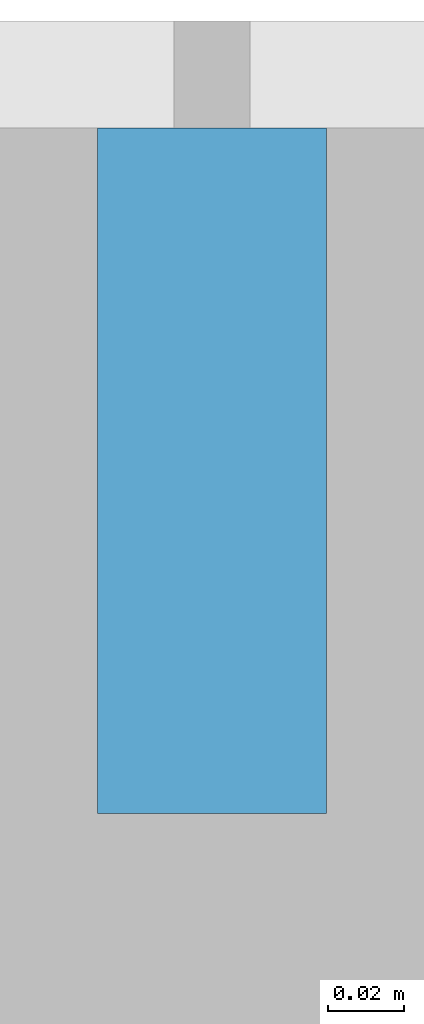
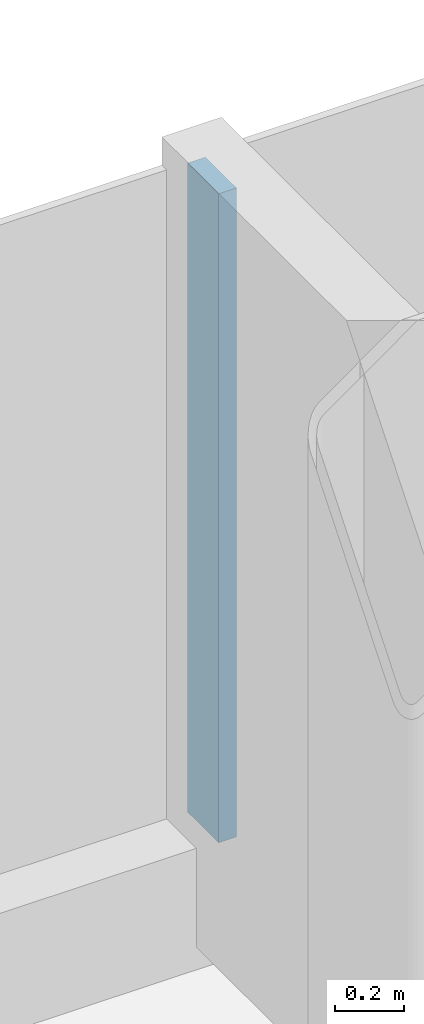
# One storey, part 7 of 25: 1 member, 1 element without a shape of its own.
"""IFC4 building model written with IfcOpenShell, lengths in metres."""

from ifc_helpers import new_model, si_unit, direction, frame, origin, origin_2d, place, context, subcontext, project, spatial, rectangle, extrude, material, layer, layer_set, material_profile, profile_set, type_object, element, aggregate, save


model = new_model("IFC4")

# Units and contexts
model_context = context("Model", 3, precision=1e-05, world=origin(), true_north=direction((0.0, 1.0)))
body_context = subcontext(model_context, "Body", "Model", "MODEL_VIEW")
ifc_project = project(units=[si_unit("LENGTHUNIT", "METRE"), si_unit("AREAUNIT", "SQUARE_METRE"), si_unit("VOLUMEUNIT", "CUBIC_METRE"), si_unit("PLANEANGLEUNIT", "RADIAN"), si_unit("MASSUNIT", "GRAM", prefix="KILO")], contexts=[model_context])

# Site, building, storey
site_placement = place(None, origin())
site = spatial("IfcSite", under=ifc_project, at=site_placement, CompositionType="ELEMENT")
building_placement = place(site_placement, origin())
building = spatial("IfcBuilding", under=site, at=building_placement, Name="Hakoniwa Tower and Hamabe Station Hall", CompositionType="ELEMENT")
storey_placement = place(building_placement, frame((0.0, 0.0, 186.60009765625)))
storey = spatial("IfcBuildingStorey", under=building, at=storey_placement, Name="L52", CompositionType="ELEMENT", Elevation=186.60009765625)

# Curtain wall, member
ifc_material_1 = material(Name="Dark low-e laminated glass", Category="glass")
ifc_layer = layer(ifc_material_1, 0.199951171875)
ifc_layer_set = layer_set([ifc_layer], Name="CW-1 UNITISED GUEST")
curtain_wall_type = type_object("IfcCurtainWallType", Name="CW-1 UNITISED GUEST", PredefinedType="NOTDEFINED", material=ifc_layer_set)
curtain_wall_placement = place(storey_placement, origin())
curtain_wall = element("IfcCurtainWall", 1, at=curtain_wall_placement, inside=storey, type_object=curtain_wall_type, Name="CW-1 curtain wall", PredefinedType="NOTDEFINED")
ifc_material_2 = material(Name="Aluminium 6063-T5 black anodised", Category="aluminium")
ifc_material_profile = material_profile(ifc_material_2, rectangle(XDim=0.06005859375, YDim=0.179931640625, at=origin_2d()), Name="CW-1 MULLION 60X180")
ifc_profile_set = profile_set([ifc_material_profile], Name="Aluminium 6063-T5 black anodised")
member_type = type_object("IfcMemberType", Name="CW-1 MULLION 60X180", PredefinedType="MULLION", material=ifc_profile_set)
member_placement = place(storey_placement, frame((0.0, 20.431884765625, 0.349853515625), z_axis=(0.0, 0.0, 1.0), x_axis=(-1.0, 0.0, 0.0)))
member = element("IfcMember", 2, at=member_placement, type_object=member_type, Name="CW-1 mullion", PredefinedType="MULLION", context=body_context, shape_type="SweptSolid", body=[
    extrude(rectangle(XDim=0.06005859375, YDim=0.179931640625, at=origin_2d()), origin(), (0.0, 0.0, 1.0), 2.300048828125),
])
aggregate(curtain_wall, [member])

save(model, "model.ifc")
